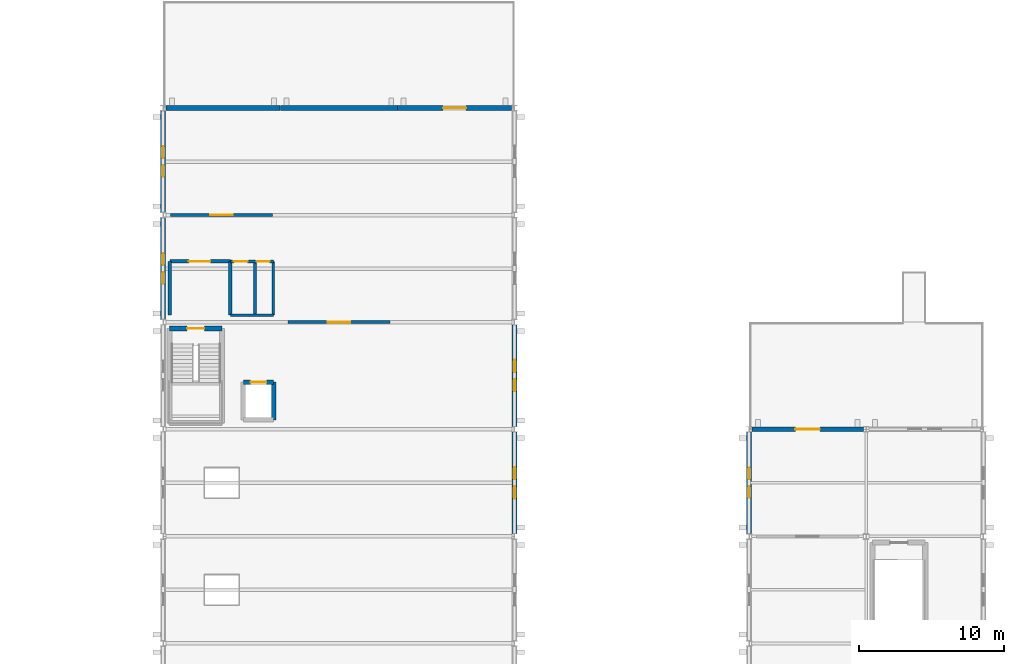
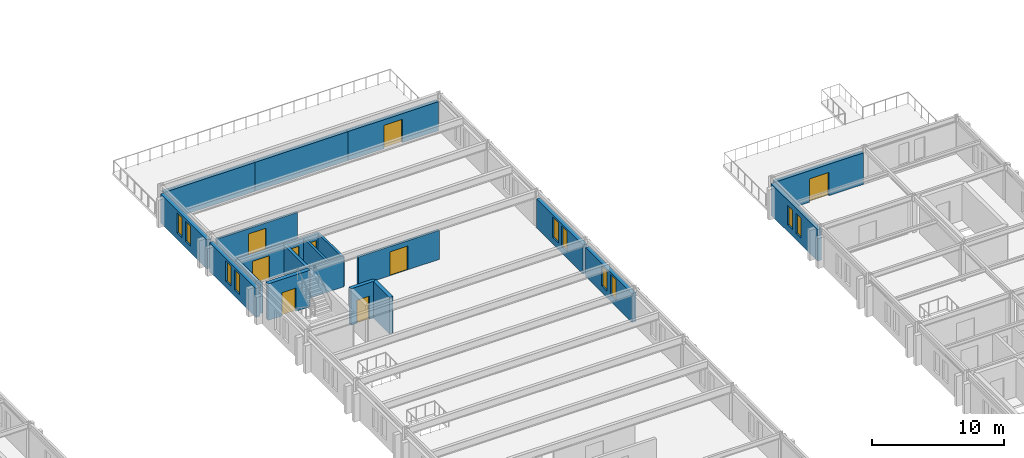
# One storey, part 13 of 19: 21 walls, 10 windows, 9 doors, 19 openings.
"""IFC4 building model written with IfcOpenShell, lengths in metres."""

from ifc_helpers import new_model, si_unit, direction, frame, frame_2d, origin, place, context, subcontext, project, spatial, rectangle, extrude, material, layer, layer_set, type_object, element, fill, save


model = new_model("IFC4")

# Units and contexts
model_context = context("Model", 3, precision=1e-05, world=origin(), true_north=direction((0.0, 1.0)))
body_context = subcontext(model_context, "Body", "Model", "MODEL_VIEW")
ifc_project = project(units=[si_unit("LENGTHUNIT", "METRE"), si_unit("AREAUNIT", "SQUARE_METRE"), si_unit("VOLUMEUNIT", "CUBIC_METRE"), si_unit("PLANEANGLEUNIT", "RADIAN"), si_unit("MASSUNIT", "GRAM", prefix="KILO")], contexts=[model_context])

# Site, building, storey
site_placement = place(None, origin())
site = spatial("IfcSite", under=ifc_project, at=site_placement, CompositionType="ELEMENT")
building_placement = place(site_placement, origin())
building = spatial("IfcBuilding", under=site, at=building_placement, Name="Cimatlan Art Gallery", CompositionType="ELEMENT")
storey_placement = place(building_placement, frame((0.0, 0.0, 17.39990234375)))
storey = spatial("IfcBuildingStorey", under=building, at=storey_placement, Name="L04", CompositionType="ELEMENT", Elevation=17.39990234375)

# Wall
ifc_material_1 = material(Name="Concrete C40/50", Category="concrete")
ifc_layer_1 = layer(ifc_material_1, 0.31005859375)
ifc_layer_set_1 = layer_set([ifc_layer_1], Name="Concrete C40/50")
wall_type_1 = type_object("IfcWallType", Name="W-CORE-310", PredefinedType="SHEAR", material=ifc_layer_set_1)
wall_1_placement = place(storey_placement, frame((82.550048828125, 61.550048828125, 0.0), z_axis=(0.0, 0.0, 1.0), x_axis=(0.0, 1.0, 0.0)))
element("IfcWall", 1, at=wall_1_placement, inside=storey, type_object=wall_type_1, Name="WL-SHFT-C6-L04-LE", PredefinedType="SHEAR", context=body_context, shape_type="SweptSolid", body=[
    extrude(rectangle(XDim=2.599853515625, YDim=0.31005859375, at=frame_2d((1.2998046875, 0.0))), origin(), (0.0, 0.0, 1.0), 3.375),
])

# Wall, opening, door
wall_2_placement = place(storey_placement, frame((80.449951171875, 64.14990234375, 0.0), z_axis=(0.0, 0.0, 1.0), x_axis=(1.0, 0.0, 0.0)))
wall_2 = element("IfcWall", 2, at=wall_2_placement, inside=storey, type_object=wall_type_1, Name="WL-SHFT-C6-L04-LN", PredefinedType="SHEAR", context=body_context, shape_type="SweptSolid", body=[
    extrude(rectangle(XDim=2.10009765625, YDim=0.31005859375, at=frame_2d((1.050048828125, 0.0))), origin(), (0.0, 0.0, 1.0), 3.375),
])
opening_1_placement = place(wall_2_placement, frame((0.5, 0.0, 0.0)))
opening_1 = element("IfcOpeningElement", 3, at=opening_1_placement, cuts=wall_2, Name="Opening LD-C6-L04", PredefinedType="OPENING", context=body_context, shape_type="SweptSolid", body=[
    extrude(rectangle(XDim=1.10009765625, YDim=2.14990234375, at=frame_2d((0.550048828125, 1.074951171875))), frame((0.0, 0.1650390625, 0.0), z_axis=(0.0, -1.0, 0.0), x_axis=(1.0, 0.0, 0.0)), (0.0, 0.0, 1.0), 0.330078125),
])
ifc_material_2 = material(Name="Brushed bronze sliding lift landing door")
door_type_1 = type_object("IfcDoorType", Name="LD-PS-1100", OperationType="NOTDEFINED", PredefinedType="DOOR", material=ifc_material_2)
door_1_placement = place(opening_1_placement, origin())
door_1 = element("IfcDoor", 4, at=door_1_placement, inside=storey, type_object=door_type_1, Name="LD-PL-03-L04", OperationType="SLIDING_TO_RIGHT", OverallHeight=2.14990234375, OverallWidth=1.10009765625, PredefinedType="DOOR", context=body_context, shape_type="SweptSolid", body=[
    extrude(rectangle(XDim=1.10009765625, YDim=2.14990234375, at=frame_2d((0.550048828125, 1.074951171875))), frame((0.0, 0.02490234375, 0.0), z_axis=(0.0, -1.0, 0.0), x_axis=(1.0, 0.0, 0.0)), (0.0, 0.0, 1.0), 0.050048828125),
])
fill(opening_1, door_1)

ifc_layer_2 = layer(ifc_material_1, 0.35009765625)
ifc_layer_set_2 = layer_set([ifc_layer_2], Name="Concrete C40/50")
wall_type_2 = type_object("IfcWallType", Name="W-CORE-350", PredefinedType="SHEAR", material=ifc_layer_set_2)
wall_3_placement = place(storey_placement, frame((75.340087890625, 67.860107421875, 0.0), z_axis=(0.0, 0.0, 1.0), x_axis=(1.0, 0.0, 0.0)))
wall_3 = element("IfcWall", 5, at=wall_3_placement, inside=storey, type_object=wall_type_2, Name="WL-CORE-C6-L04-SN", PredefinedType="SHEAR", context=body_context, shape_type="SweptSolid", body=[
    extrude(rectangle(XDim=3.639892578125, YDim=0.35009765625, at=frame_2d((1.81982421875, 0.0))), origin(), (0.0, 0.0, 1.0), 3.375),
])
opening_2_placement = place(wall_3_placement, frame((1.219970703125, 0.0, 0.0)))
opening_2 = element("IfcOpeningElement", 6, at=opening_2_placement, cuts=wall_3, Name="Opening FD-C6-L04", PredefinedType="OPENING", context=body_context, shape_type="SweptSolid", body=[
    extrude(rectangle(XDim=1.199951171875, YDim=2.14990234375, at=frame_2d((0.60009765625, 1.074951171875))), frame((0.0, 0.18505859375, 0.0), z_axis=(0.0, -1.0, 0.0), x_axis=(1.0, 0.0, 0.0)), (0.0, 0.0, 1.0), 0.3701171875),
])
ifc_material_3 = material(Name="Fire-resisting steel acoustic stair door", Category="steel")
door_type_2 = type_object("IfcDoorType", Name="FD-ST-1200", OperationType="NOTDEFINED", PredefinedType="DOOR", material=ifc_material_3)
door_2_placement = place(opening_2_placement, origin())
door_2 = element("IfcDoor", 7, at=door_2_placement, inside=storey, type_object=door_type_2, Name="DR-C6-L04-ST", OperationType="SINGLE_SWING_LEFT", OverallHeight=2.14990234375, OverallWidth=1.199951171875, PredefinedType="DOOR", context=body_context, shape_type="SweptSolid", body=[
    extrude(rectangle(XDim=1.199951171875, YDim=2.14990234375, at=frame_2d((0.60009765625, 1.074951171875))), frame((0.0, 0.02490234375, 0.0), z_axis=(0.0, -1.0, 0.0), x_axis=(1.0, 0.0, 0.0)), (0.0, 0.0, 1.0), 0.050048828125),
])
fill(opening_2, door_2)

ifc_material_4 = material(Name="Precast concrete C40/50", Category="concrete")
ifc_layer_3 = layer(ifc_material_4, 0.2451171875)
ifc_layer_set_3 = layer_set([ifc_layer_3], Name="Precast concrete C40/50")
wall_type_3 = type_object("IfcWallType", Name="W-FFL-245", PredefinedType="PARTITIONING", material=ifc_layer_set_3)
wall_4_placement = place(storey_placement, frame((75.3798828125, 72.5, 0.0), z_axis=(0.0, 0.0, 1.0), x_axis=(1.0, 0.0, 0.0)))
wall_4 = element("IfcWall", 8, at=wall_4_placement, inside=storey, type_object=wall_type_3, Name="WL-LOB-C6-L04-N", PredefinedType="PARTITIONING", context=body_context, shape_type="SweptSolid", body=[
    extrude(rectangle(XDim=4.170166015625, YDim=0.2451171875, at=frame_2d((2.0849609375, 0.0))), origin(), (0.0, 0.0, 1.0), 2.68603515625),
])
opening_3_placement = place(wall_4_placement, frame((1.300048828125, 0.0, 0.0)))
opening_3 = element("IfcOpeningElement", 9, at=opening_3_placement, cuts=wall_4, Name="Opening FDL-C6-L04", PredefinedType="OPENING", context=body_context, shape_type="SweptSolid", body=[
    extrude(rectangle(XDim=1.5, YDim=2.14990234375, at=frame_2d((0.75, 1.074951171875))), frame((0.0, 0.132568359375, 0.0), z_axis=(0.0, -1.0, 0.0), x_axis=(1.0, 0.0, 0.0)), (0.0, 0.0, 1.0), 0.26513671875),
])
ifc_material_5 = material(Name="Fire-resisting double-seal lobby door")
door_type_3 = type_object("IfcDoorType", Name="FD-LB-1500", OperationType="NOTDEFINED", PredefinedType="DOOR", material=ifc_material_5)
door_3_placement = place(opening_3_placement, origin())
door_3 = element("IfcDoor", 10, at=door_3_placement, inside=storey, type_object=door_type_3, Name="DR-LOB-C6-L04", OperationType="SINGLE_SWING_RIGHT", OverallHeight=2.14990234375, OverallWidth=1.5, PredefinedType="DOOR", context=body_context, shape_type="SweptSolid", body=[
    extrude(rectangle(XDim=1.5, YDim=2.14990234375, at=frame_2d((0.75, 1.074951171875))), frame((0.0, 0.02490234375, 0.0), z_axis=(0.0, -1.0, 0.0), x_axis=(1.0, 0.0, 0.0)), (0.0, 0.0, 1.0), 0.050048828125),
])
fill(opening_3, door_3)

# Walls
for number, where, z_axis, x_axis, name in (
    (11, (75.3798828125, 68.780029296875, 0.0), (0.0, 0.0, 1.0), (0.0, 1.0, 0.0), "WL-LOB-C6-L04-W"),
    (12, (79.550048828125, 68.780029296875, 0.0), (0.0, 0.0, 1.0), (0.0, 1.0, 0.0), "WL-LOB-C6-L04-M"),
):
    element("IfcWall", number, at=place(storey_placement, frame(where, z_axis=z_axis, x_axis=x_axis)), inside=storey, type_object=wall_type_3, Name=name, PredefinedType="PARTITIONING", context=body_context, shape_type="SweptSolid", body=[
        extrude(rectangle(XDim=3.719970703125, YDim=0.2451171875, at=frame_2d((1.85986328125, 0.0))), origin(), (0.0, 0.0, 1.0), 2.68603515625),
    ])

# Wall, opening, door
ifc_material_6 = material(Name="Acoustic gypsum and steel stud partition", Category="steel")
ifc_layer_4 = layer(ifc_material_6, 0.205078125)
ifc_layer_set_4 = layer_set([ifc_layer_4], Name="Acoustic gypsum and steel stud partition")
wall_type_4 = type_object("IfcWallType", Name="W-GAL-205", PredefinedType="PARTITIONING", material=ifc_layer_set_4)
wall_5_placement = place(storey_placement, frame((83.52001953125, 68.300048828125, 0.0), z_axis=(0.0, 0.0, 1.0), x_axis=(1.0, 0.0, 0.0)))
wall_5 = element("IfcWall", 13, at=wall_5_placement, inside=storey, type_object=wall_type_4, Name="WL-RM-L04-GAL-C2", PredefinedType="PARTITIONING", context=body_context, shape_type="SweptSolid", body=[
    extrude(rectangle(XDim=7.06005859375, YDim=0.205078125, at=frame_2d((3.530029296875, 0.0))), origin(), (0.0, 0.0, 1.0), 2.68603515625),
])
opening_4_placement = place(wall_5_placement, frame((2.7548828125, 0.0, 0.0)))
opening_4 = element("IfcOpeningElement", 14, at=opening_4_placement, cuts=wall_5, Name="Opening DI-0268", PredefinedType="OPENING", context=body_context, shape_type="SweptSolid", body=[
    extrude(rectangle(XDim=1.550048828125, YDim=2.199951171875, at=frame_2d((0.77490234375, 1.10009765625))), frame((0.0, 0.112548828125, 0.0), z_axis=(0.0, -1.0, 0.0), x_axis=(1.0, 0.0, 0.0)), (0.0, 0.0, 1.0), 0.22509765625),
])
ifc_material_7 = material(Name="European oak upper gallery door")
door_type_4 = type_object("IfcDoorType", Name="DI-GL-1550", OperationType="NOTDEFINED", PredefinedType="DOOR", material=ifc_material_7)
door_4_placement = place(opening_4_placement, origin())
door_4 = element("IfcDoor", 15, at=door_4_placement, inside=storey, type_object=door_type_4, Name="DR-RM-L04-GAL-C2", OperationType="SINGLE_SWING_RIGHT", OverallHeight=2.199951171875, OverallWidth=1.550048828125, PredefinedType="DOOR", context=body_context, shape_type="SweptSolid", body=[
    extrude(rectangle(XDim=1.550048828125, YDim=2.199951171875, at=frame_2d((0.77490234375, 1.10009765625))), frame((0.0, 0.02490234375, 0.0), z_axis=(0.0, -1.0, 0.0), x_axis=(1.0, 0.0, 0.0)), (0.0, 0.0, 1.0), 0.050048828125),
])
fill(opening_4, door_4)

wall_6_placement = place(storey_placement, frame((75.419921875, 75.699951171875, 0.0), z_axis=(0.0, 0.0, 1.0), x_axis=(1.0, 0.0, 0.0)))
wall_6 = element("IfcWall", 16, at=wall_6_placement, inside=storey, type_object=wall_type_4, Name="WL-RM-L04-GAL-CN", PredefinedType="PARTITIONING", context=body_context, shape_type="SweptSolid", body=[
    extrude(rectangle(XDim=7.06005859375, YDim=0.205078125, at=frame_2d((3.530029296875, 0.0))), origin(), (0.0, 0.0, 1.0), 2.68603515625),
])
opening_5_placement = place(wall_6_placement, frame((2.7548828125, 0.0, 0.0)))
opening_5 = element("IfcOpeningElement", 17, at=opening_5_placement, cuts=wall_6, Name="Opening DI-0269", PredefinedType="OPENING", context=body_context, shape_type="SweptSolid", body=[
    extrude(rectangle(XDim=1.550048828125, YDim=2.199951171875, at=frame_2d((0.77490234375, 1.10009765625))), frame((0.0, 0.112548828125, 0.0), z_axis=(0.0, -1.0, 0.0), x_axis=(1.0, 0.0, 0.0)), (0.0, 0.0, 1.0), 0.22509765625),
])
door_5_placement = place(opening_5_placement, origin())
door_5 = element("IfcDoor", 18, at=door_5_placement, inside=storey, type_object=door_type_4, Name="DR-RM-L04-GAL-CN", OperationType="SINGLE_SWING_LEFT", OverallHeight=2.199951171875, OverallWidth=1.550048828125, PredefinedType="DOOR", context=body_context, shape_type="SweptSolid", body=[
    extrude(rectangle(XDim=1.550048828125, YDim=2.199951171875, at=frame_2d((0.77490234375, 1.10009765625))), frame((0.0, 0.02490234375, 0.0), z_axis=(0.0, -1.0, 0.0), x_axis=(1.0, 0.0, 0.0)), (0.0, 0.0, 1.0), 0.050048828125),
])
fill(opening_5, door_5)

# Walls
ifc_material_8 = material(Name="Moisture-resistant fire-rated plumbing wall")
ifc_layer_5 = layer(ifc_material_8, 0.195068359375)
ifc_layer_set_5 = layer_set([ifc_layer_5], Name="Moisture-resistant fire-rated plumbing wall")
wall_type_5 = type_object("IfcWallType", Name="W-PLM-195", PredefinedType="PARTITIONING", material=ifc_layer_set_5)
for number, where, z_axis, x_axis, name in (
    (19, (81.25, 68.780029296875, 0.0), (0.0, 0.0, 1.0), (0.0, 1.0, 0.0), "WL-LOB-C6-L04-D"),
    (20, (82.52001953125, 68.780029296875, 0.0), (0.0, 0.0, 1.0), (0.0, 1.0, 0.0), "WL-LOB-C6-L04-E"),
):
    element("IfcWall", number, at=place(storey_placement, frame(where, z_axis=z_axis, x_axis=x_axis)), inside=storey, type_object=wall_type_5, Name=name, PredefinedType="PARTITIONING", context=body_context, shape_type="SweptSolid", body=[
        extrude(rectangle(XDim=3.719970703125, YDim=0.195068359375, at=frame_2d((1.85986328125, 0.0))), origin(), (0.0, 0.0, 1.0), 2.68603515625),
    ])
wall_7_placement = place(storey_placement, frame((79.550048828125, 68.780029296875, 0.0), z_axis=(0.0, 0.0, 1.0), x_axis=(1.0, 0.0, 0.0)))
element("IfcWall", 21, at=wall_7_placement, inside=storey, type_object=wall_type_5, Name="WL-LOB-C6-L04-S", PredefinedType="PARTITIONING", context=body_context, shape_type="SweptSolid", body=[
    extrude(rectangle(XDim=2.969970703125, YDim=0.195068359375, at=frame_2d((1.48486328125, 0.0))), origin(), (0.0, 0.0, 1.0), 2.68603515625),
])

# Wall, openings, doors
wall_8_placement = place(storey_placement, frame((79.550048828125, 72.5, 0.0), z_axis=(0.0, 0.0, 1.0), x_axis=(1.0, 0.0, 0.0)))
wall_8 = element("IfcWall", 22, at=wall_8_placement, inside=storey, type_object=wall_type_5, Name="WL-WC-C6-L04-N", PredefinedType="PARTITIONING", context=body_context, shape_type="SweptSolid", body=[
    extrude(rectangle(XDim=2.969970703125, YDim=0.195068359375, at=frame_2d((1.48486328125, 0.0))), origin(), (0.0, 0.0, 1.0), 2.68603515625),
])
opening_6_placement = place(wall_8_placement, frame((0.25, 0.0, 0.0)))
opening_6 = element("IfcOpeningElement", 23, at=opening_6_placement, cuts=wall_8, Name="Opening DWC-C6A-L04", PredefinedType="OPENING", context=body_context, shape_type="SweptSolid", body=[
    extrude(rectangle(XDim=0.949951171875, YDim=2.10009765625, at=frame_2d((0.47509765625, 1.050048828125))), frame((0.0, 0.107421875, 0.0), z_axis=(0.0, -1.0, 0.0), x_axis=(1.0, 0.0, 0.0)), (0.0, 0.0, 1.0), 0.215087890625),
])
opening_7_placement = place(wall_8_placement, frame((1.820068359375, 0.0, 0.0)))
opening_7 = element("IfcOpeningElement", 24, at=opening_7_placement, cuts=wall_8, Name="Opening DWC-C6B-L04", PredefinedType="OPENING", context=body_context, shape_type="SweptSolid", body=[
    extrude(rectangle(XDim=0.89990234375, YDim=2.10009765625, at=frame_2d((0.449951171875, 1.050048828125))), frame((0.0, 0.107421875, 0.0), z_axis=(0.0, -1.0, 0.0), x_axis=(1.0, 0.0, 0.0)), (0.0, 0.0, 1.0), 0.215087890625),
])
ifc_material_9 = material(Name="Sanitary room door")
door_type_5 = type_object("IfcDoorType", Name="DI-WC-0900", OperationType="NOTDEFINED", PredefinedType="DOOR", material=ifc_material_9)
door_6_placement = place(opening_7_placement, origin())
door_6 = element("IfcDoor", 25, at=door_6_placement, inside=storey, type_object=door_type_5, Name="DR-PWC-C6-L04", OperationType="SINGLE_SWING_RIGHT", OverallHeight=2.10009765625, OverallWidth=0.89990234375, PredefinedType="DOOR", context=body_context, shape_type="SweptSolid", body=[
    extrude(rectangle(XDim=0.89990234375, YDim=2.10009765625, at=frame_2d((0.449951171875, 1.050048828125))), frame((0.0, 0.02490234375, 0.0), z_axis=(0.0, -1.0, 0.0), x_axis=(1.0, 0.0, 0.0)), (0.0, 0.0, 1.0), 0.050048828125),
])
fill(opening_7, door_6)
ifc_material_10 = material(Name="Accessible sanitary room door")
door_type_6 = type_object("IfcDoorType", Name="DI-WC-0950", OperationType="NOTDEFINED", PredefinedType="DOOR", material=ifc_material_10)
door_7_placement = place(opening_6_placement, origin())
door_7 = element("IfcDoor", 26, at=door_7_placement, inside=storey, type_object=door_type_6, Name="DR-AWC-C6-L04", OperationType="SINGLE_SWING_LEFT", OverallHeight=2.10009765625, OverallWidth=0.949951171875, PredefinedType="DOOR", context=body_context, shape_type="SweptSolid", body=[
    extrude(rectangle(XDim=0.949951171875, YDim=2.10009765625, at=frame_2d((0.47509765625, 1.050048828125))), frame((0.0, 0.02490234375, 0.0), z_axis=(0.0, -1.0, 0.0), x_axis=(1.0, 0.0, 0.0)), (0.0, 0.0, 1.0), 0.050048828125),
])
fill(opening_6, door_7)

# Wall, openings, windows
ifc_layer_6 = layer(ifc_material_4, 0.340087890625)
ifc_layer_set_6 = layer_set([ifc_layer_6], Name="Precast concrete C40/50")
wall_type_6 = type_object("IfcWallType", Name="WL-EXT-STD-340", PredefinedType="SOLIDWALL", material=ifc_layer_set_6)
wall_9_placement = place(storey_placement, frame((74.89990234375, 68.491943359375, 0.0), z_axis=(0.0, 0.0, 1.0), x_axis=(0.0, 1.0, 0.0)))
wall_9 = element("IfcWall", 27, at=wall_9_placement, inside=storey, type_object=wall_type_6, Name="WL-EXT-L04-09-09-W", PredefinedType="SOLIDWALL", context=body_context, shape_type="SweptSolid", body=[
    extrude(rectangle(XDim=7.01611328125, YDim=0.340087890625, at=frame_2d((3.508056640625, 0.0))), origin(), (0.0, 0.0, 1.0), 2.68115234375),
])
opening_8_placement = place(wall_9_placement, frame((2.4580078125, 0.0, 0.60009765625)))
opening_8 = element("IfcOpeningElement", 28, at=opening_8_placement, cuts=wall_9, Name="Opening WN-0345", PredefinedType="OPENING", context=body_context, shape_type="SweptSolid", body=[
    extrude(rectangle(XDim=0.81005859375, YDim=1.840087890625, at=frame_2d((0.405029296875, 0.919921875))), frame((0.0, 0.18017578125, 0.0), z_axis=(0.0, -1.0, 0.0), x_axis=(1.0, 0.0, 0.0)), (0.0, 0.0, 1.0), 0.360107421875),
])
opening_9_placement = place(wall_9_placement, frame((3.748046875, 0.0, 0.60009765625)))
opening_9 = element("IfcOpeningElement", 29, at=opening_9_placement, cuts=wall_9, Name="Opening WN-0346", PredefinedType="OPENING", context=body_context, shape_type="SweptSolid", body=[
    extrude(rectangle(XDim=0.81005859375, YDim=1.840087890625, at=frame_2d((0.405029296875, 0.919921875))), frame((0.0, 0.18017578125, 0.0), z_axis=(0.0, -1.0, 0.0), x_axis=(1.0, 0.0, 0.0)), (0.0, 0.0, 1.0), 0.360107421875),
])
ifc_material_11 = material(Name="Low-E laminated double glazing in bronze lancet frame", Category="glass")
window_type_1 = type_object("IfcWindowType", Name="WIN-W-L04-0810X1840", PartitioningType="SINGLE_PANEL", PredefinedType="WINDOW", material=ifc_material_11)
window_1_placement = place(opening_8_placement, origin())
window_1 = element("IfcWindow", 30, at=window_1_placement, inside=storey, type_object=window_type_1, Name="WIN-0345", OverallHeight=1.840087890625, OverallWidth=0.81005859375, PartitioningType="SINGLE_PANEL", PredefinedType="WINDOW", context=body_context, shape_type="SweptSolid", body=[
    extrude(rectangle(XDim=0.81005859375, YDim=1.840087890625, at=frame_2d((0.405029296875, 0.919921875))), frame((0.0, 0.030029296875, 0.0), z_axis=(0.0, -1.0, 0.0), x_axis=(1.0, 0.0, 0.0)), (0.0, 0.0, 1.0), 0.06005859375),
])
fill(opening_8, window_1)
window_2_placement = place(opening_9_placement, origin())
window_2 = element("IfcWindow", 31, at=window_2_placement, inside=storey, type_object=window_type_1, Name="WIN-0346", OverallHeight=1.840087890625, OverallWidth=0.81005859375, PartitioningType="SINGLE_PANEL", PredefinedType="WINDOW", context=body_context, shape_type="SweptSolid", body=[
    extrude(rectangle(XDim=0.81005859375, YDim=1.840087890625, at=frame_2d((0.405029296875, 0.919921875))), frame((0.0, 0.030029296875, 0.0), z_axis=(0.0, -1.0, 0.0), x_axis=(1.0, 0.0, 0.0)), (0.0, 0.0, 1.0), 0.06005859375),
])
fill(opening_9, window_2)

# Wall
wall_10_placement = place(storey_placement, frame((75.10107421875, 83.10009765625, 0.0), z_axis=(0.0, 0.0, 1.0), x_axis=(1.0, 0.0, 0.0)))
element("IfcWall", 32, at=wall_10_placement, inside=storey, type_object=wall_type_6, Name="WL-EXT-L04-09-10-N", PredefinedType="SOLIDWALL", context=body_context, shape_type="SweptSolid", body=[
    extrude(rectangle(XDim=7.89501953125, YDim=0.340087890625, at=frame_2d((3.947509765625, 0.0))), origin(), (0.0, 0.0, 1.0), 2.68115234375),
])

# Wall, openings, windows
wall_11_placement = place(storey_placement, frame((74.89990234375, 75.89208984375, 0.0), z_axis=(0.0, 0.0, 1.0), x_axis=(0.0, 1.0, 0.0)))
wall_11 = element("IfcWall", 33, at=wall_11_placement, inside=storey, type_object=wall_type_6, Name="WL-EXT-L04-09-10-W", PredefinedType="SOLIDWALL", context=body_context, shape_type="SweptSolid", body=[
    extrude(rectangle(XDim=7.015869140625, YDim=0.340087890625, at=frame_2d((3.5078125, 0.0))), origin(), (0.0, 0.0, 1.0), 2.68115234375),
])
opening_10_placement = place(wall_11_placement, frame((2.4580078125, 0.0, 0.60009765625)))
opening_10 = element("IfcOpeningElement", 34, at=opening_10_placement, cuts=wall_11, Name="Opening WN-0347", PredefinedType="OPENING", context=body_context, shape_type="SweptSolid", body=[
    extrude(rectangle(XDim=0.81005859375, YDim=1.840087890625, at=frame_2d((0.405029296875, 0.919921875))), frame((0.0, 0.18017578125, 0.0), z_axis=(0.0, -1.0, 0.0), x_axis=(1.0, 0.0, 0.0)), (0.0, 0.0, 1.0), 0.360107421875),
])
opening_11_placement = place(wall_11_placement, frame((3.748046875, 0.0, 0.60009765625)))
opening_11 = element("IfcOpeningElement", 35, at=opening_11_placement, cuts=wall_11, Name="Opening WN-0348", PredefinedType="OPENING", context=body_context, shape_type="SweptSolid", body=[
    extrude(rectangle(XDim=0.81005859375, YDim=1.840087890625, at=frame_2d((0.405029296875, 0.919921875))), frame((0.0, 0.18017578125, 0.0), z_axis=(0.0, -1.0, 0.0), x_axis=(1.0, 0.0, 0.0)), (0.0, 0.0, 1.0), 0.360107421875),
])
window_3_placement = place(opening_10_placement, origin())
window_3 = element("IfcWindow", 36, at=window_3_placement, inside=storey, type_object=window_type_1, Name="WIN-0347", OverallHeight=1.840087890625, OverallWidth=0.81005859375, PartitioningType="SINGLE_PANEL", PredefinedType="WINDOW", context=body_context, shape_type="SweptSolid", body=[
    extrude(rectangle(XDim=0.81005859375, YDim=1.840087890625, at=frame_2d((0.405029296875, 0.919921875))), frame((0.0, 0.030029296875, 0.0), z_axis=(0.0, -1.0, 0.0), x_axis=(1.0, 0.0, 0.0)), (0.0, 0.0, 1.0), 0.06005859375),
])
fill(opening_10, window_3)
window_4_placement = place(opening_11_placement, origin())
window_4 = element("IfcWindow", 37, at=window_4_placement, inside=storey, type_object=window_type_1, Name="WIN-0348", OverallHeight=1.840087890625, OverallWidth=0.81005859375, PartitioningType="SINGLE_PANEL", PredefinedType="WINDOW", context=body_context, shape_type="SweptSolid", body=[
    extrude(rectangle(XDim=0.81005859375, YDim=1.840087890625, at=frame_2d((0.405029296875, 0.919921875))), frame((0.0, 0.030029296875, 0.0), z_axis=(0.0, -1.0, 0.0), x_axis=(1.0, 0.0, 0.0)), (0.0, 0.0, 1.0), 0.06005859375),
])
fill(opening_11, window_4)

# Wall
wall_12_placement = place(storey_placement, frame((83.00390625, 83.10009765625, 0.0), z_axis=(0.0, 0.0, 1.0), x_axis=(1.0, 0.0, 0.0)))
element("IfcWall", 38, at=wall_12_placement, inside=storey, type_object=wall_type_6, Name="WL-EXT-L04-10-10-N", PredefinedType="SOLIDWALL", context=body_context, shape_type="SweptSolid", body=[
    extrude(rectangle(XDim=8.092041015625, YDim=0.340087890625, at=frame_2d((4.0458984375, 0.0))), origin(), (0.0, 0.0, 1.0), 2.68115234375),
])

# Wall, openings, windows
wall_13_placement = place(storey_placement, frame((99.199951171875, 60.7080078125, 0.0), z_axis=(0.0, 0.0, 1.0), x_axis=(0.0, -1.0, 0.0)))
wall_13 = element("IfcWall", 39, at=wall_13_placement, inside=storey, type_object=wall_type_6, Name="WL-EXT-L04-11-07-E", PredefinedType="SOLIDWALL", context=body_context, shape_type="SweptSolid", body=[
    extrude(rectangle(XDim=7.01611328125, YDim=0.340087890625, at=frame_2d((3.508056640625, 0.0))), origin(), (0.0, 0.0, 1.0), 2.68115234375),
])
opening_12_placement = place(wall_13_placement, frame((2.41796875, 0.0, 0.60009765625)))
opening_12 = element("IfcOpeningElement", 40, at=opening_12_placement, cuts=wall_13, Name="Opening WN-0361", PredefinedType="OPENING", context=body_context, shape_type="SweptSolid", body=[
    extrude(rectangle(XDim=0.85009765625, YDim=1.8798828125, at=frame_2d((0.425048828125, 0.93994140625))), frame((0.0, 0.18017578125, 0.0), z_axis=(0.0, -1.0, 0.0), x_axis=(1.0, 0.0, 0.0)), (0.0, 0.0, 1.0), 0.360107421875),
])
opening_13_placement = place(wall_13_placement, frame((3.748046875, 0.0, 0.60009765625)))
opening_13 = element("IfcOpeningElement", 41, at=opening_13_placement, cuts=wall_13, Name="Opening WN-0362", PredefinedType="OPENING", context=body_context, shape_type="SweptSolid", body=[
    extrude(rectangle(XDim=0.85009765625, YDim=1.8798828125, at=frame_2d((0.425048828125, 0.93994140625))), frame((0.0, 0.18017578125, 0.0), z_axis=(0.0, -1.0, 0.0), x_axis=(1.0, 0.0, 0.0)), (0.0, 0.0, 1.0), 0.360107421875),
])
window_type_2 = type_object("IfcWindowType", Name="WIN-E-L04-0850X1880", PartitioningType="SINGLE_PANEL", PredefinedType="WINDOW", material=ifc_material_11)
window_5_placement = place(opening_12_placement, origin())
window_5 = element("IfcWindow", 42, at=window_5_placement, inside=storey, type_object=window_type_2, Name="WIN-0361", OverallHeight=1.8798828125, OverallWidth=0.85009765625, PartitioningType="SINGLE_PANEL", PredefinedType="WINDOW", context=body_context, shape_type="SweptSolid", body=[
    extrude(rectangle(XDim=0.85009765625, YDim=1.8798828125, at=frame_2d((0.425048828125, 0.93994140625))), frame((0.0, 0.030029296875, 0.0), z_axis=(0.0, -1.0, 0.0), x_axis=(1.0, 0.0, 0.0)), (0.0, 0.0, 1.0), 0.06005859375),
])
fill(opening_12, window_5)
window_6_placement = place(opening_13_placement, origin())
window_6 = element("IfcWindow", 43, at=window_6_placement, inside=storey, type_object=window_type_2, Name="WIN-0362", OverallHeight=1.8798828125, OverallWidth=0.85009765625, PartitioningType="SINGLE_PANEL", PredefinedType="WINDOW", context=body_context, shape_type="SweptSolid", body=[
    extrude(rectangle(XDim=0.85009765625, YDim=1.8798828125, at=frame_2d((0.425048828125, 0.93994140625))), frame((0.0, 0.030029296875, 0.0), z_axis=(0.0, -1.0, 0.0), x_axis=(1.0, 0.0, 0.0)), (0.0, 0.0, 1.0), 0.06005859375),
])
fill(opening_13, window_6)

wall_14_placement = place(storey_placement, frame((99.199951171875, 68.10791015625, 0.0), z_axis=(0.0, 0.0, 1.0), x_axis=(0.0, -1.0, 0.0)))
wall_14 = element("IfcWall", 44, at=wall_14_placement, inside=storey, type_object=wall_type_6, Name="WL-EXT-L04-11-08-E", PredefinedType="SOLIDWALL", context=body_context, shape_type="SweptSolid", body=[
    extrude(rectangle(XDim=7.015869140625, YDim=0.340087890625, at=frame_2d((3.5078125, 0.0))), origin(), (0.0, 0.0, 1.0), 2.68115234375),
])
opening_14_placement = place(wall_14_placement, frame((2.41796875, 0.0, 0.60009765625)))
opening_14 = element("IfcOpeningElement", 45, at=opening_14_placement, cuts=wall_14, Name="Opening WN-0363", PredefinedType="OPENING", context=body_context, shape_type="SweptSolid", body=[
    extrude(rectangle(XDim=0.85009765625, YDim=1.8798828125, at=frame_2d((0.425048828125, 0.93994140625))), frame((0.0, 0.18017578125, 0.0), z_axis=(0.0, -1.0, 0.0), x_axis=(1.0, 0.0, 0.0)), (0.0, 0.0, 1.0), 0.360107421875),
])
opening_15_placement = place(wall_14_placement, frame((3.748046875, 0.0, 0.60009765625)))
opening_15 = element("IfcOpeningElement", 46, at=opening_15_placement, cuts=wall_14, Name="Opening WN-0364", PredefinedType="OPENING", context=body_context, shape_type="SweptSolid", body=[
    extrude(rectangle(XDim=0.85009765625, YDim=1.8798828125, at=frame_2d((0.425048828125, 0.93994140625))), frame((0.0, 0.18017578125, 0.0), z_axis=(0.0, -1.0, 0.0), x_axis=(1.0, 0.0, 0.0)), (0.0, 0.0, 1.0), 0.360107421875),
])
window_7_placement = place(opening_14_placement, origin())
window_7 = element("IfcWindow", 47, at=window_7_placement, inside=storey, type_object=window_type_2, Name="WIN-0363", OverallHeight=1.8798828125, OverallWidth=0.85009765625, PartitioningType="SINGLE_PANEL", PredefinedType="WINDOW", context=body_context, shape_type="SweptSolid", body=[
    extrude(rectangle(XDim=0.85009765625, YDim=1.8798828125, at=frame_2d((0.425048828125, 0.93994140625))), frame((0.0, 0.030029296875, 0.0), z_axis=(0.0, -1.0, 0.0), x_axis=(1.0, 0.0, 0.0)), (0.0, 0.0, 1.0), 0.06005859375),
])
fill(opening_14, window_7)
window_8_placement = place(opening_15_placement, origin())
window_8 = element("IfcWindow", 48, at=window_8_placement, inside=storey, type_object=window_type_2, Name="WIN-0364", OverallHeight=1.8798828125, OverallWidth=0.85009765625, PartitioningType="SINGLE_PANEL", PredefinedType="WINDOW", context=body_context, shape_type="SweptSolid", body=[
    extrude(rectangle(XDim=0.85009765625, YDim=1.8798828125, at=frame_2d((0.425048828125, 0.93994140625))), frame((0.0, 0.030029296875, 0.0), z_axis=(0.0, -1.0, 0.0), x_axis=(1.0, 0.0, 0.0)), (0.0, 0.0, 1.0), 0.06005859375),
])
fill(opening_15, window_8)

# Wall, opening, door
wall_15_placement = place(storey_placement, frame((91.10400390625, 83.10009765625, 0.0), z_axis=(0.0, 0.0, 1.0), x_axis=(1.0, 0.0, 0.0)))
wall_15 = element("IfcWall", 49, at=wall_15_placement, inside=storey, type_object=wall_type_6, Name="WL-EXT-L04-11-10-N", PredefinedType="SOLIDWALL", context=body_context, shape_type="SweptSolid", body=[
    extrude(rectangle(XDim=7.89501953125, YDim=0.340087890625, at=frame_2d((3.947509765625, 0.0))), origin(), (0.0, 0.0, 1.0), 2.68115234375),
])
opening_16_placement = place(wall_15_placement, frame((3.1474609375, 0.0, 0.0)))
opening_16 = element("IfcOpeningElement", 50, at=opening_16_placement, cuts=wall_15, Name="Opening D-L04-T17", PredefinedType="OPENING", context=body_context, shape_type="SweptSolid", body=[
    extrude(rectangle(XDim=1.60009765625, YDim=2.14990234375, at=frame_2d((0.800048828125, 1.074951171875))), frame((0.0, 0.18017578125, 0.0), z_axis=(0.0, -1.0, 0.0), x_axis=(1.0, 0.0, 0.0)), (0.0, 0.0, 1.0), 0.360107421875),
])
ifc_material_12 = material(Name="Anodised bronze and laminated safety glass door", Category="glass")
door_type_7 = type_object("IfcDoorType", Name="DE-TR-1600", OperationType="NOTDEFINED", PredefinedType="DOOR", material=ifc_material_12)
door_8_placement = place(opening_16_placement, origin())
door_8 = element("IfcDoor", 51, at=door_8_placement, inside=storey, type_object=door_type_7, Name="D-L04-T17", OperationType="SINGLE_SWING_RIGHT", OverallHeight=2.14990234375, OverallWidth=1.60009765625, PredefinedType="DOOR", context=body_context, shape_type="SweptSolid", body=[
    extrude(rectangle(XDim=1.60009765625, YDim=2.14990234375, at=frame_2d((0.800048828125, 1.074951171875))), frame((0.0, 0.02490234375, 0.0), z_axis=(0.0, -1.0, 0.0), x_axis=(1.0, 0.0, 0.0)), (0.0, 0.0, 1.0), 0.050048828125),
])
fill(opening_16, door_8)

wall_16_placement = place(storey_placement, frame((115.591064453125, 60.89990234375, 0.0), z_axis=(0.0, 0.0, 1.0), x_axis=(1.0, 0.0, 0.0)))
wall_16 = element("IfcWall", 52, at=wall_16_placement, inside=storey, type_object=wall_type_6, Name="WL-EXT-L04-14-07-N", PredefinedType="SOLIDWALL", context=body_context, shape_type="SweptSolid", body=[
    extrude(rectangle(XDim=7.718017578125, YDim=0.340087890625, at=frame_2d((3.85888671875, 0.0))), origin(), (0.0, 0.0, 1.0), 2.908203125),
])
opening_17_placement = place(wall_16_placement, frame((3.009033203125, 0.0, 0.0)))
opening_17 = element("IfcOpeningElement", 53, at=opening_17_placement, cuts=wall_16, Name="Opening D-L04-T18", PredefinedType="OPENING", context=body_context, shape_type="SweptSolid", body=[
    extrude(rectangle(XDim=1.699951171875, YDim=2.14990234375, at=frame_2d((0.85009765625, 1.074951171875))), frame((0.0, 0.18017578125, 0.0), z_axis=(0.0, -1.0, 0.0), x_axis=(1.0, 0.0, 0.0)), (0.0, 0.0, 1.0), 0.360107421875),
])
door_type_8 = type_object("IfcDoorType", Name="DE-TR-1700", OperationType="NOTDEFINED", PredefinedType="DOOR", material=ifc_material_12)
door_9_placement = place(opening_17_placement, origin())
door_9 = element("IfcDoor", 54, at=door_9_placement, inside=storey, type_object=door_type_8, Name="D-L04-T18", OperationType="SINGLE_SWING_RIGHT", OverallHeight=2.14990234375, OverallWidth=1.699951171875, PredefinedType="DOOR", context=body_context, shape_type="SweptSolid", body=[
    extrude(rectangle(XDim=1.699951171875, YDim=2.14990234375, at=frame_2d((0.85009765625, 1.074951171875))), frame((0.0, 0.02490234375, 0.0), z_axis=(0.0, -1.0, 0.0), x_axis=(1.0, 0.0, 0.0)), (0.0, 0.0, 1.0), 0.050048828125),
])
fill(opening_17, door_9)

# Wall, openings, windows
wall_17_placement = place(storey_placement, frame((115.39990234375, 53.68994140625, 0.0), z_axis=(0.0, 0.0, 1.0), x_axis=(0.0, 1.0, 0.0)))
wall_17 = element("IfcWall", 55, at=wall_17_placement, inside=storey, type_object=wall_type_6, Name="WL-EXT-L04-14-07-W", PredefinedType="SOLIDWALL", context=body_context, shape_type="SweptSolid", body=[
    extrude(rectangle(XDim=7.02001953125, YDim=0.340087890625, at=frame_2d((3.510009765625, 0.0))), origin(), (0.0, 0.0, 1.0), 2.908203125),
])
opening_18_placement = place(wall_17_placement, frame((2.4599609375, 0.0, 0.60009765625)))
opening_18 = element("IfcOpeningElement", 56, at=opening_18_placement, cuts=wall_17, Name="Opening WN-0379", PredefinedType="OPENING", context=body_context, shape_type="SweptSolid", body=[
    extrude(rectangle(XDim=0.81005859375, YDim=1.840087890625, at=frame_2d((0.405029296875, 0.919921875))), frame((0.0, 0.18017578125, 0.0), z_axis=(0.0, -1.0, 0.0), x_axis=(1.0, 0.0, 0.0)), (0.0, 0.0, 1.0), 0.360107421875),
])
opening_19_placement = place(wall_17_placement, frame((3.75, 0.0, 0.60009765625)))
opening_19 = element("IfcOpeningElement", 57, at=opening_19_placement, cuts=wall_17, Name="Opening WN-0380", PredefinedType="OPENING", context=body_context, shape_type="SweptSolid", body=[
    extrude(rectangle(XDim=0.81005859375, YDim=1.840087890625, at=frame_2d((0.405029296875, 0.919921875))), frame((0.0, 0.18017578125, 0.0), z_axis=(0.0, -1.0, 0.0), x_axis=(1.0, 0.0, 0.0)), (0.0, 0.0, 1.0), 0.360107421875),
])
window_9_placement = place(opening_18_placement, origin())
window_9 = element("IfcWindow", 58, at=window_9_placement, inside=storey, type_object=window_type_1, Name="WIN-0379", OverallHeight=1.840087890625, OverallWidth=0.81005859375, PartitioningType="SINGLE_PANEL", PredefinedType="WINDOW", context=body_context, shape_type="SweptSolid", body=[
    extrude(rectangle(XDim=0.81005859375, YDim=1.840087890625, at=frame_2d((0.405029296875, 0.919921875))), frame((0.0, 0.030029296875, 0.0), z_axis=(0.0, -1.0, 0.0), x_axis=(1.0, 0.0, 0.0)), (0.0, 0.0, 1.0), 0.06005859375),
])
fill(opening_18, window_9)
window_10_placement = place(opening_19_placement, origin())
window_10 = element("IfcWindow", 59, at=window_10_placement, inside=storey, type_object=window_type_1, Name="WIN-0380", OverallHeight=1.840087890625, OverallWidth=0.81005859375, PartitioningType="SINGLE_PANEL", PredefinedType="WINDOW", context=body_context, shape_type="SweptSolid", body=[
    extrude(rectangle(XDim=0.81005859375, YDim=1.840087890625, at=frame_2d((0.405029296875, 0.919921875))), frame((0.0, 0.030029296875, 0.0), z_axis=(0.0, -1.0, 0.0), x_axis=(1.0, 0.0, 0.0)), (0.0, 0.0, 1.0), 0.06005859375),
])
fill(opening_19, window_10)

save(model, "model.ifc")
